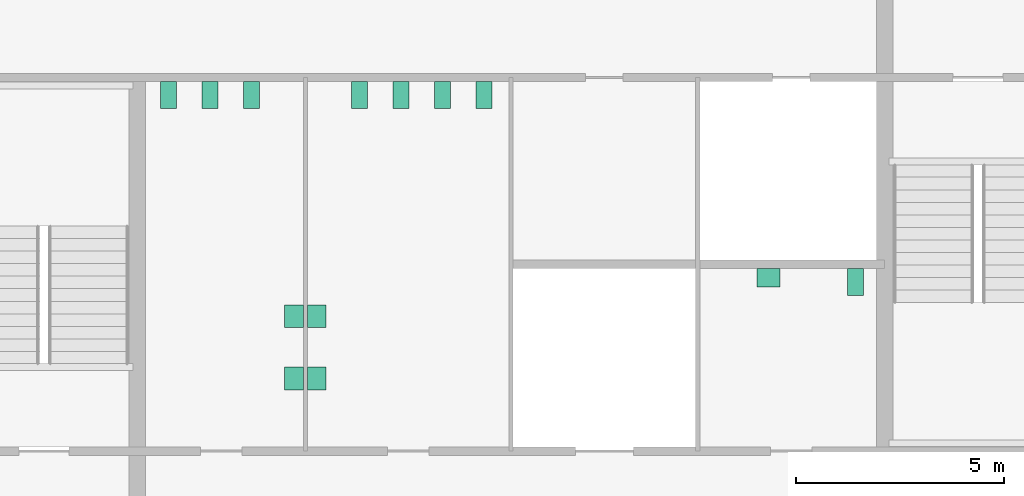
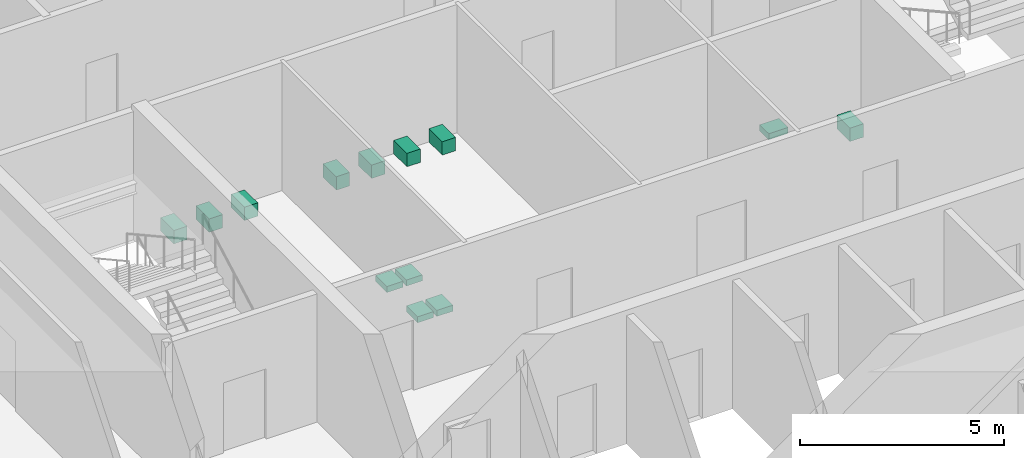
# One storey, part 14 of 14: 13 sanitary terminals.
"""IFC4 building model written with IfcOpenShell, lengths in metres."""

from ifc_helpers import new_model, si_unit, direction, frame, origin, origin_2d, place, context, subcontext, project, spatial, rectangle, extrude, material, type_object, element, save


model = new_model("IFC4")

# Units and contexts
model_context = context("Model", 3, precision=1e-05, world=origin(), true_north=direction((0.0, 1.0)))
body_context = subcontext(model_context, "Body", "Model", "MODEL_VIEW")
ifc_project = project(units=[si_unit("LENGTHUNIT", "METRE"), si_unit("AREAUNIT", "SQUARE_METRE"), si_unit("VOLUMEUNIT", "CUBIC_METRE"), si_unit("PLANEANGLEUNIT", "RADIAN"), si_unit("MASSUNIT", "GRAM", prefix="KILO")], contexts=[model_context])

# Site, building, storey
site_placement = place(None, origin())
site = spatial("IfcSite", under=ifc_project, at=site_placement, CompositionType="ELEMENT")
building_placement = place(site_placement, origin())
building = spatial("IfcBuilding", under=site, at=building_placement, Name="Corais Broadcast Tower", CompositionType="ELEMENT")
storey_placement = place(building_placement, frame((0.0, 0.0, 254.60009765625)))
storey = spatial("IfcBuildingStorey", under=building, at=storey_placement, Name="L59", CompositionType="ELEMENT", Elevation=254.60009765625)

# Sanitary terminals
ifc_material_1 = material(Name="Vitreous china", Category="ceramic")
sanitary_terminal_type_1 = type_object("IfcSanitaryTerminalType", Name="WC pan 380x650", PredefinedType="TOILETPAN", material=ifc_material_1)
for number, where, z_axis, x_axis, name in (
    (1, (18.75, 31.074951171875, 0.0), (0.0, 0.0, 1.0), (1.0, 0.0, 0.0), "SW1 WC pan, male toilets L59"),
    (2, (19.75, 31.074951171875, 0.0), (0.0, 0.0, 1.0), (1.0, 0.0, 0.0), "SW1 WC pan, male toilets L59"),
    (3, (20.75, 31.074951171875, 0.0), (0.0, 0.0, 1.0), (1.0, 0.0, 0.0), "SW1 WC pan, male toilets L59"),
    (4, (23.35009765625, 31.074951171875, 0.0), (0.0, 0.0, 1.0), (1.0, 0.0, 0.0), "SW1 WC pan, female toilets L59"),
    (5, (24.35009765625, 31.074951171875, 0.0), (0.0, 0.0, 1.0), (1.0, 0.0, 0.0), "SW1 WC pan, female toilets L59"),
    (6, (25.35009765625, 31.074951171875, 0.0), (0.0, 0.0, 1.0), (1.0, 0.0, 0.0), "SW1 WC pan, female toilets L59"),
    (7, (26.35009765625, 31.074951171875, 0.0), (0.0, 0.0, 1.0), (1.0, 0.0, 0.0), "SW1 WC pan, female toilets L59"),
    (8, (35.300048828125, 26.574951171875, 0.0), (0.0, 0.0, 1.0), (1.0, 0.0, 0.0), "SW1 WC pan, accessible WC L59"),
):
    element("IfcSanitaryTerminal", number, at=place(storey_placement, frame(where, z_axis=z_axis, x_axis=x_axis)), inside=storey, type_object=sanitary_terminal_type_1, Name=name, PredefinedType="TOILETPAN", context=body_context, shape_type="SweptSolid", body=[
        extrude(rectangle(XDim=0.3798828125, YDim=0.64990234375, at=origin_2d()), origin(), (0.0, 0.0, 1.0), 0.39990234375),
    ])
ifc_material_2 = material(Name="Vitreous china", Category="ceramic")
sanitary_terminal_type_2 = type_object("IfcSanitaryTerminalType", Name="Wash basin 550x450", PredefinedType="WASHHANDBASIN", material=ifc_material_2)
for number, where, z_axis, x_axis, name in (
    (9, (21.77490234375, 24.25, 0.69970703125), (0.0, 0.0, 1.0), (1.0, 0.0, 0.0), "WB1 wash basin, male toilets L59"),
    (10, (21.77490234375, 25.75, 0.69970703125), (0.0, 0.0, 1.0), (1.0, 0.0, 0.0), "WB1 wash basin, male toilets L59"),
    (11, (22.324951171875, 24.25, 0.69970703125), (0.0, 0.0, 1.0), (1.0, 0.0, 0.0), "WB1 wash basin, female toilets L59"),
    (12, (22.324951171875, 25.75, 0.69970703125), (0.0, 0.0, 1.0), (1.0, 0.0, 0.0), "WB1 wash basin, female toilets L59"),
):
    element("IfcSanitaryTerminal", number, at=place(storey_placement, frame(where, z_axis=z_axis, x_axis=x_axis)), inside=storey, type_object=sanitary_terminal_type_2, Name=name, PredefinedType="WASHHANDBASIN", context=body_context, shape_type="SweptSolid", body=[
        extrude(rectangle(XDim=0.449951171875, YDim=0.550048828125, at=origin_2d()), origin(), (0.0, 0.0, 1.0), 0.179931640625),
    ])
sanitary_terminal_placement = place(storey_placement, frame((33.199951171875, 26.675048828125, 0.69970703125), z_axis=(0.0, 0.0, 1.0), x_axis=(1.0, 0.0, 0.0)))
element("IfcSanitaryTerminal", 13, at=sanitary_terminal_placement, inside=storey, type_object=sanitary_terminal_type_2, Name="WB1 wash basin, accessible WC L59", PredefinedType="WASHHANDBASIN", context=body_context, shape_type="SweptSolid", body=[
    extrude(rectangle(XDim=0.550048828125, YDim=0.449951171875, at=origin_2d()), origin(), (0.0, 0.0, 1.0), 0.179931640625),
])

save(model, "model.ifc")
